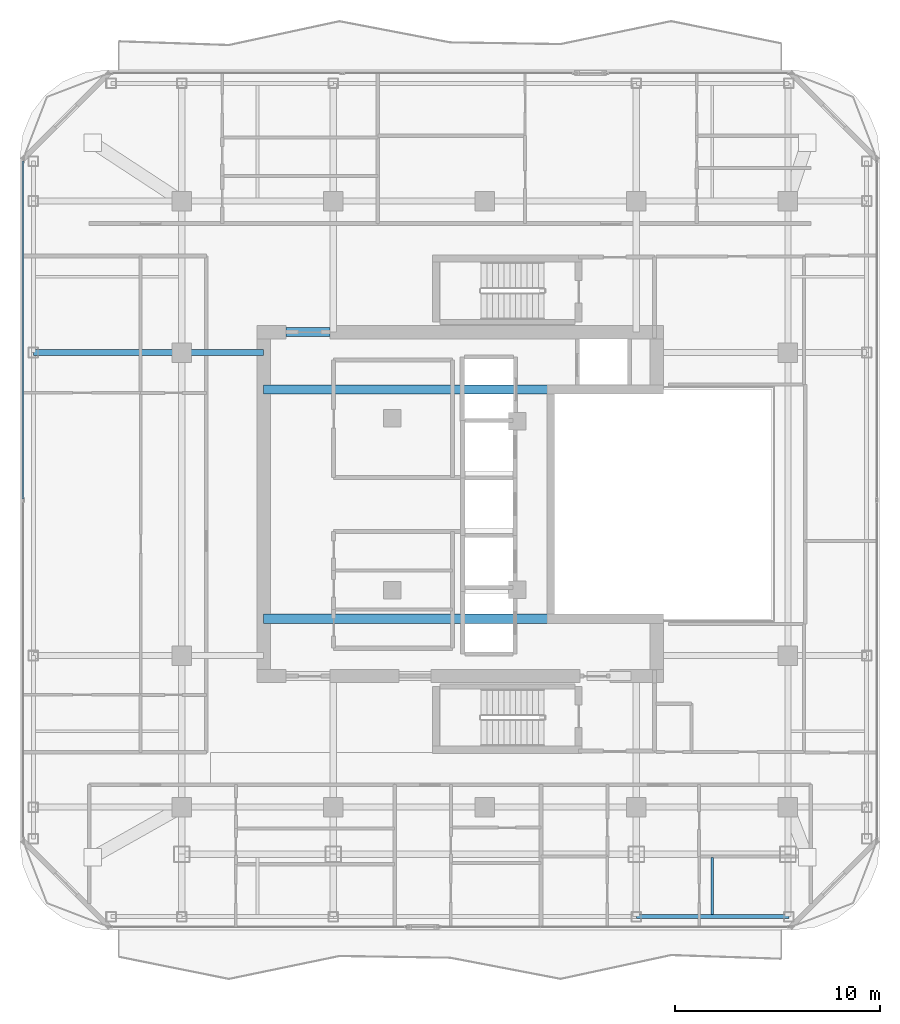
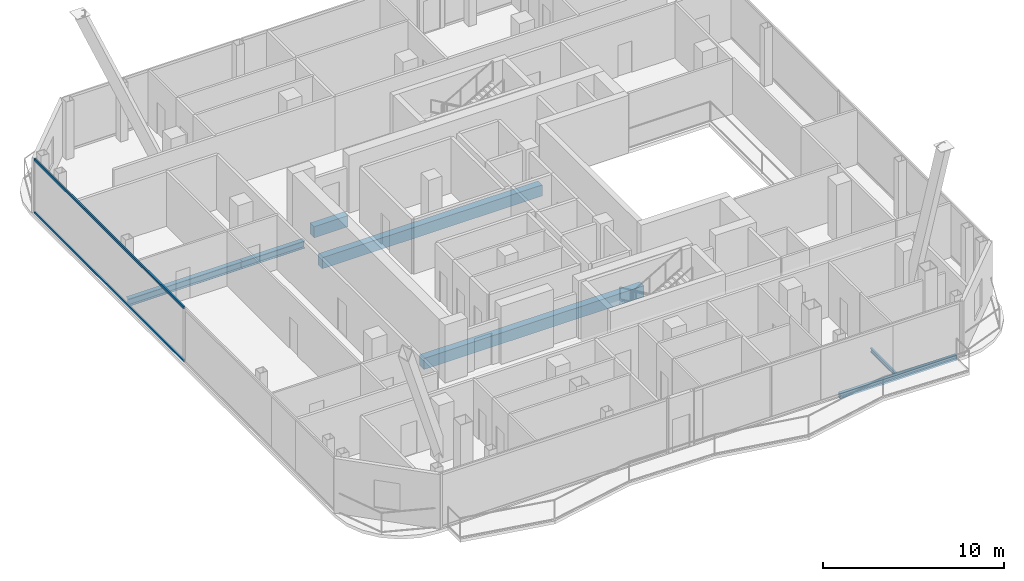
# One storey, part 7 of 24: 7 beams, 2 members, 1 element without a shape of its own.
"""IFC4 building model written with IfcOpenShell, lengths in metres."""

from ifc_helpers import new_model, si_unit, direction, frame, origin, origin_2d, place, context, subcontext, project, spatial, rectangle, hollow_rectangle, i_section, extrude, material, layer, layer_set, material_profile, profile_set, type_object, element, aggregate, save


model = new_model("IFC4")

# Units and contexts
model_context = context("Model", 3, precision=1e-05, world=origin(), true_north=direction((0.0, 1.0)))
body_context = subcontext(model_context, "Body", "Model", "MODEL_VIEW")
ifc_project = project(units=[si_unit("LENGTHUNIT", "METRE"), si_unit("AREAUNIT", "SQUARE_METRE"), si_unit("VOLUMEUNIT", "CUBIC_METRE"), si_unit("PLANEANGLEUNIT", "RADIAN"), si_unit("MASSUNIT", "GRAM", prefix="KILO")], contexts=[model_context])

# Site, building, storey
site_placement = place(None, origin())
site = spatial("IfcSite", under=ifc_project, at=site_placement, CompositionType="ELEMENT")
building_placement = place(site_placement, origin())
building = spatial("IfcBuilding", under=site, at=building_placement, Name="Khorvyn Point Tower", CompositionType="ELEMENT")
storey_placement = place(building_placement, frame((0.0, 0.0, 301.5)))
storey = spatial("IfcBuildingStorey", under=building, at=storey_placement, Name="L74", CompositionType="ELEMENT", Elevation=301.5)

# Curtain wall, members
ifc_material_1 = material(Name="Anodised aluminium 6063-T6 and laminated Low-E glass", Category="aluminium")
ifc_layer = layer(ifc_material_1, 0.18994140625)
ifc_layer_set = layer_set([ifc_layer], Name="Stick-Built High-Wind Curtain Wall CW-SYS-04")
curtain_wall_type = type_object("IfcCurtainWallType", Name="Stick-Built High-Wind Curtain Wall CW-SYS-04", PredefinedType="NOTDEFINED", material=ifc_layer_set)
curtain_wall_placement = place(storey_placement, origin())
curtain_wall = element("IfcCurtainWall", 1, at=curtain_wall_placement, inside=storey, type_object=curtain_wall_type, Name="Curtain Wall", PredefinedType="NOTDEFINED")
ifc_material_2 = material(Name="Anodised aluminium 6063-T6", Category="aluminium")
ifc_material_profile_1 = material_profile(ifc_material_2, hollow_rectangle(XDim=0.10009765625, YDim=0.159912109375, WallThickness=0.00439453125, at=origin_2d()))
ifc_profile_set_1 = profile_set([ifc_material_profile_1], Name="Anodised aluminium 6063-T6 ALU-TRN-100x160")
member_type = type_object("IfcMemberType", Name="Anodised Aluminium 6063-T6 Transom ALU-TRN-100x160", PredefinedType="USERDEFINED", material=ifc_profile_set_1)
member_1_placement = place(storey_placement, frame((-22.550048828125, 0.25, 0.050048828125), z_axis=(0.0, 1.0, 0.0), x_axis=(-1.0, 0.0, 0.0)))
member_1 = element("IfcMember", 2, at=member_1_placement, type_object=member_type, Name="Transom", ObjectType="TRANSOM", PredefinedType="USERDEFINED", context=body_context, shape_type="SweptSolid", body=[
    extrude(hollow_rectangle(XDim=0.10009765625, YDim=0.159912109375, WallThickness=0.00439453125, at=origin_2d()), origin(), (0.0, 0.0, 1.0), 16.5),
])
member_2_placement = place(storey_placement, frame((-22.550048828125, 0.25, 3.6298828125), z_axis=(0.0, 1.0, 0.0), x_axis=(-1.0, 0.0, 0.0)))
member_2 = element("IfcMember", 3, at=member_2_placement, type_object=member_type, Name="Transom", ObjectType="TRANSOM", PredefinedType="USERDEFINED", context=body_context, shape_type="SweptSolid", body=[
    extrude(hollow_rectangle(XDim=0.10009765625, YDim=0.159912109375, WallThickness=0.00439453125, at=origin_2d()), origin(), (0.0, 0.0, 1.0), 16.5),
])
aggregate(curtain_wall, [member_1, member_2])

# Beams
ifc_material_3 = material(Name="Concrete C40/50", Category="concrete")
ifc_material_profile_2 = material_profile(ifc_material_3, rectangle(XDim=0.449951171875, YDim=0.75, at=origin_2d()))
ifc_profile_set_2 = profile_set([ifc_material_profile_2], Name="Concrete C40/50 RC450x750")
beam_type_1 = type_object("IfcBeamType", Name="Concrete C40/50 Beam RC450x750", PredefinedType="BEAM", material=ifc_profile_set_2)
for number, where, z_axis, x_axis, name in (
    (4, (-10.800048828125, -5.60009765625, -0.594970703125), (1.0, 0.0, 0.0), (0.0, 1.0, 0.0), "L74 Core Internal Tie Girder S"),
    (5, (-10.800048828125, 5.60009765625, -0.594970703125), (1.0, 0.0, 0.0), (0.0, 1.0, 0.0), "L74 Core Internal Tie Girder N"),
):
    element("IfcBeam", number, at=place(storey_placement, frame(where, z_axis=z_axis, x_axis=x_axis)), inside=storey, type_object=beam_type_1, Name=name, PredefinedType="BEAM", context=body_context, shape_type="SweptSolid", body=[
        extrude(rectangle(XDim=0.449951171875, YDim=0.75, at=origin_2d()), origin(), (0.0, 0.0, 1.0), 14.02001953125),
    ])
beam_1_placement = place(storey_placement, frame((-9.699951171875, 8.39990234375, -0.594970703125), z_axis=(1.0, 0.0, 0.0), x_axis=(0.0, 1.0, 0.0)))
element("IfcBeam", 6, at=beam_1_placement, inside=storey, type_object=beam_type_1, Name="L74 Core Northwest Portal Coupling Beam", PredefinedType="BEAM", context=body_context, shape_type="SweptSolid", body=[
    extrude(rectangle(XDim=0.449951171875, YDim=0.75, at=origin_2d()), origin(), (0.0, 0.0, 1.0), 2.14990234375),
])
ifc_material_4 = material(Name="Steel S355", Category="steel")
ifc_material_profile_3 = material_profile(ifc_material_4, i_section(OverallWidth=0.125, OverallDepth=0.25, WebThickness=0.006103515625, FlangeThickness=0.009033203125, at=origin_2d()))
ifc_profile_set_3 = profile_set([ifc_material_profile_3], Name="Steel S355 H250x125x6x9")
beam_type_2 = type_object("IfcBeamType", Name="Steel S355 Joist H250x125x6x9", PredefinedType="JOIST", material=ifc_profile_set_3)
beam_2_placement = place(storey_placement, frame((11.10009765625, -20.050048828125, -0.344970703125), z_axis=(0.0, 1.0, 0.0), x_axis=(-1.0, 0.0, 0.0)))
element("IfcBeam", 7, at=beam_2_placement, inside=storey, type_object=beam_type_2, Name="Beam", PredefinedType="JOIST", context=body_context, shape_type="SweptSolid", body=[
    extrude(i_section(OverallWidth=0.125, OverallDepth=0.25, WebThickness=0.006103515625, FlangeThickness=0.009033203125, at=origin_2d()), origin(), (0.0, 0.0, 1.0), 2.800048828125),
])
ifc_material_profile_4 = material_profile(ifc_material_4, i_section(OverallWidth=0.300048828125, OverallDepth=0.488037109375, WebThickness=0.010986328125, FlangeThickness=0.01806640625, at=origin_2d()))
ifc_profile_set_4 = profile_set([ifc_material_profile_4], Name="Steel S355 H488x300x11x18")
beam_type_3 = type_object("IfcBeamType", Name="Steel S355 Spandrel H488x300x11x18", PredefinedType="SPANDREL", material=ifc_profile_set_4)
beam_3_placement = place(storey_placement, frame((-22.050048828125, 7.39990234375, -0.464111328125), z_axis=(1.0, 0.0, 0.0), x_axis=(0.0, 1.0, 0.0)))
element("IfcBeam", 8, at=beam_3_placement, inside=storey, type_object=beam_type_3, Name="Beam", PredefinedType="SPANDREL", context=body_context, shape_type="SweptSolid", body=[
    extrude(i_section(OverallWidth=0.300048828125, OverallDepth=0.488037109375, WebThickness=0.010986328125, FlangeThickness=0.01806640625, at=origin_2d()), origin(), (0.0, 0.0, 1.0), 7.25),
])
beam_4_placement = place(storey_placement, frame((-14.800048828125, 7.39990234375, -0.464111328125), z_axis=(1.0, 0.0, 0.0), x_axis=(0.0, 1.0, 0.0)))
element("IfcBeam", 9, at=beam_4_placement, inside=storey, type_object=beam_type_3, Name="Beam", PredefinedType="SPANDREL", context=body_context, shape_type="SweptSolid", body=[
    extrude(i_section(OverallWidth=0.300048828125, OverallDepth=0.488037109375, WebThickness=0.010986328125, FlangeThickness=0.01806640625, at=origin_2d()), origin(), (0.0, 0.0, 1.0), 4.0),
])
ifc_material_profile_5 = material_profile(ifc_material_4, hollow_rectangle(XDim=0.199951171875, YDim=0.35009765625, WallThickness=0.013916015625, at=origin_2d()))
ifc_profile_set_5 = profile_set([ifc_material_profile_5], Name="Steel S355 RHS350x200x14")
beam_type_4 = type_object("IfcBeamType", Name="Steel S355 Spandrel RHS350x200x14", PredefinedType="SPANDREL", material=ifc_profile_set_5)
beam_5_placement = place(storey_placement, frame((7.39990234375, -20.14990234375, -0.39501953125), z_axis=(1.0, 0.0, 0.0), x_axis=(0.0, 1.0, 0.0)))
element("IfcBeam", 10, at=beam_5_placement, inside=storey, type_object=beam_type_4, Name="Beam", PredefinedType="SPANDREL", context=body_context, shape_type="SweptSolid", body=[
    extrude(hollow_rectangle(XDim=0.199951171875, YDim=0.35009765625, WallThickness=0.013916015625, at=origin_2d()), origin(), (0.0, 0.0, 1.0), 7.4501953125),
])

save(model, "model.ifc")
